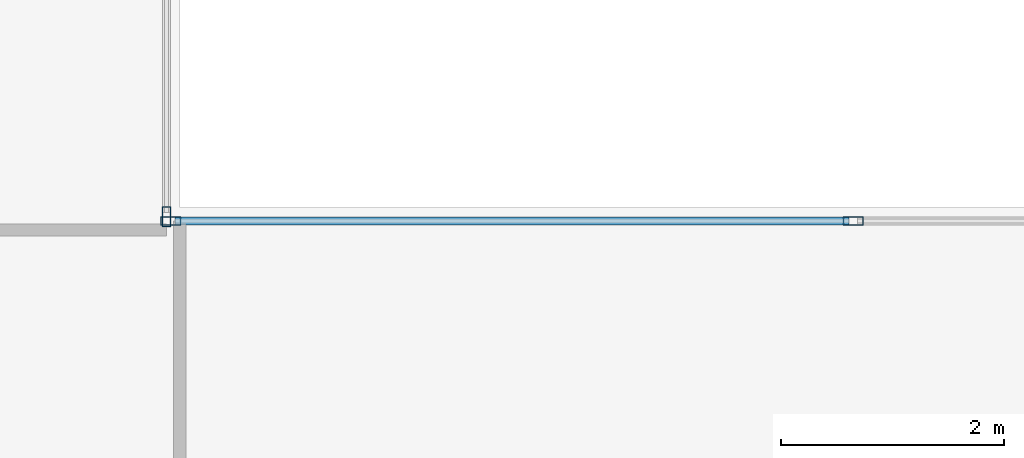
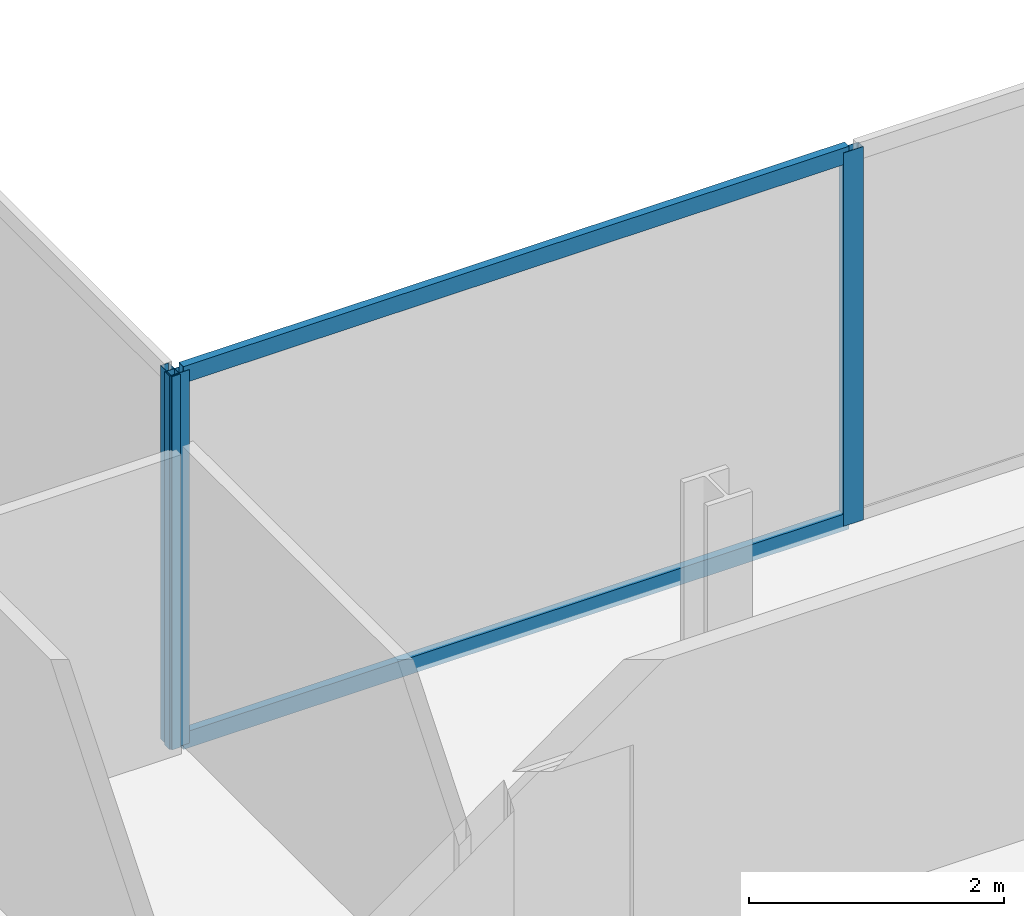
# One storey, part 7 of 23: 5 members, 2 elements without a shape of their own.
"""IFC4 building model written with IfcOpenShell, lengths in metres."""

from ifc_helpers import new_model, si_unit, direction, frame, origin, origin_2d, place, context, subcontext, project, spatial, hollow_rectangle, extrude, material, material_profile, profile_set, type_object, element, aggregate, save


model = new_model("IFC4")

# Units and contexts
model_context = context("Model", 3, precision=1e-05, world=origin(), true_north=direction((0.0, 1.0)))
body_context = subcontext(model_context, "Body", "Model", "MODEL_VIEW")
ifc_project = project(units=[si_unit("LENGTHUNIT", "METRE"), si_unit("AREAUNIT", "SQUARE_METRE"), si_unit("VOLUMEUNIT", "CUBIC_METRE"), si_unit("PLANEANGLEUNIT", "RADIAN"), si_unit("MASSUNIT", "GRAM", prefix="KILO")], contexts=[model_context])

# Site, building, storey
site_placement = place(None, origin())
site = spatial("IfcSite", under=ifc_project, at=site_placement, CompositionType="ELEMENT")
building_placement = place(site_placement, origin())
building = spatial("IfcBuilding", under=site, at=building_placement, Name="Cobrela Telecom Tower", CompositionType="ELEMENT")
storey_placement = place(building_placement, frame((0.0, 0.0, 117.60009765625)))
storey = spatial("IfcBuildingStorey", under=building, at=storey_placement, Name="L29", CompositionType="ELEMENT", Elevation=117.60009765625)

# Curtain wall, member
ifc_material = material(Name="Anodized Bronze Aluminium 6063-T6", Category="aluminium")
curtain_wall_type = type_object("IfcCurtainWallType", Name="CW-SYS-TEL", PredefinedType="USERDEFINED", material=ifc_material)
curtain_wall_1_placement = place(storey_placement, origin())
curtain_wall_1 = element("IfcCurtainWall", 1, at=curtain_wall_1_placement, inside=storey, type_object=curtain_wall_type, Name="L29 Unitised Bronze Curtain Wall 10", ObjectType="UNITISED CURTAIN WALL", PredefinedType="USERDEFINED")
ifc_material_profile_1 = material_profile(ifc_material, hollow_rectangle(XDim=0.074951171875, YDim=0.179931640625, WallThickness=0.00390625, at=origin_2d()), Name="ALU 75x180x4")
ifc_profile_set_1 = profile_set([ifc_material_profile_1], Name="Anodized Bronze Aluminium 6063-T6")
member_type_1 = type_object("IfcMemberType", Name="CW-SYS-TEL-MUL", PredefinedType="MULLION", material=ifc_profile_set_1)
member_1_placement = place(storey_placement, frame((25.8798828125, 25.117431640625, 0.0), z_axis=(0.0, 0.0, 1.0), x_axis=(1.0, 0.0, 0.0)))
member_1 = element("IfcMember", 2, at=member_1_placement, type_object=member_type_1, Name="CW-TEL mullion 3", PredefinedType="MULLION", context=body_context, shape_type="SweptSolid", body=[
    extrude(hollow_rectangle(XDim=0.074951171875, YDim=0.179931640625, WallThickness=0.00390625, at=origin_2d()), origin(), (0.0, 0.0, 1.0), 3.579833984375),
])
aggregate(curtain_wall_1, [member_1])

# Curtain wall, members
curtain_wall_2_placement = place(storey_placement, origin())
curtain_wall_2 = element("IfcCurtainWall", 3, at=curtain_wall_2_placement, inside=storey, type_object=curtain_wall_type, Name="L29 Unitised Bronze Curtain Wall 11", ObjectType="UNITISED CURTAIN WALL", PredefinedType="USERDEFINED")
member_2_placement = place(storey_placement, frame((25.91748046875, 25.080078125, 0.0), z_axis=(0.0, 0.0, 1.0), x_axis=(0.0, 1.0, 0.0)))
member_2 = element("IfcMember", 4, at=member_2_placement, type_object=member_type_1, Name="CW-TEL mullion 1", PredefinedType="MULLION", context=body_context, shape_type="SweptSolid", body=[
    extrude(hollow_rectangle(XDim=0.074951171875, YDim=0.179931640625, WallThickness=0.00390625, at=origin_2d()), origin(), (0.0, 0.0, 1.0), 3.579833984375),
])
member_3_placement = place(storey_placement, frame((32.030029296875, 25.080078125, 0.0), z_axis=(0.0, 0.0, 1.0), x_axis=(0.0, 1.0, 0.0)))
member_3 = element("IfcMember", 5, at=member_3_placement, type_object=member_type_1, Name="CW-TEL mullion 2", PredefinedType="MULLION", context=body_context, shape_type="SweptSolid", body=[
    extrude(hollow_rectangle(XDim=0.074951171875, YDim=0.179931640625, WallThickness=0.00390625, at=origin_2d()), origin(), (0.0, 0.0, 1.0), 3.579833984375),
])
ifc_material_profile_2 = material_profile(ifc_material, hollow_rectangle(XDim=0.070068359375, YDim=0.159912109375, WallThickness=0.00390625, at=origin_2d()), Name="ALU 70x160x4")
ifc_profile_set_2 = profile_set([ifc_material_profile_2], Name="Anodized Bronze Aluminium 6063-T6")
member_type_2 = type_object("IfcMemberType", Name="CW-SYS-TEL-TRN", PredefinedType="USERDEFINED", material=ifc_profile_set_2)
member_4_placement = place(storey_placement, frame((25.955078125, 25.080078125, 0.034912109375), z_axis=(1.0, 0.0, 0.0), x_axis=(0.0, 1.0, 0.0)))
member_4 = element("IfcMember", 6, at=member_4_placement, type_object=member_type_2, Name="CW-TEL transom 1.1", ObjectType="TRANSOM", PredefinedType="USERDEFINED", context=body_context, shape_type="SweptSolid", body=[
    extrude(hollow_rectangle(XDim=0.070068359375, YDim=0.159912109375, WallThickness=0.00390625, at=origin_2d()), origin(), (0.0, 0.0, 1.0), 6.037353515625),
])
member_5_placement = place(storey_placement, frame((25.955078125, 25.080078125, 3.544921875), z_axis=(1.0, 0.0, 0.0), x_axis=(0.0, 1.0, 0.0)))
member_5 = element("IfcMember", 7, at=member_5_placement, type_object=member_type_2, Name="CW-TEL transom 1.2", ObjectType="TRANSOM", PredefinedType="USERDEFINED", context=body_context, shape_type="SweptSolid", body=[
    extrude(hollow_rectangle(XDim=0.070068359375, YDim=0.159912109375, WallThickness=0.00390625, at=origin_2d()), origin(), (0.0, 0.0, 1.0), 6.037353515625),
])
aggregate(curtain_wall_2, [member_2, member_3, member_4, member_5])

save(model, "model.ifc")
